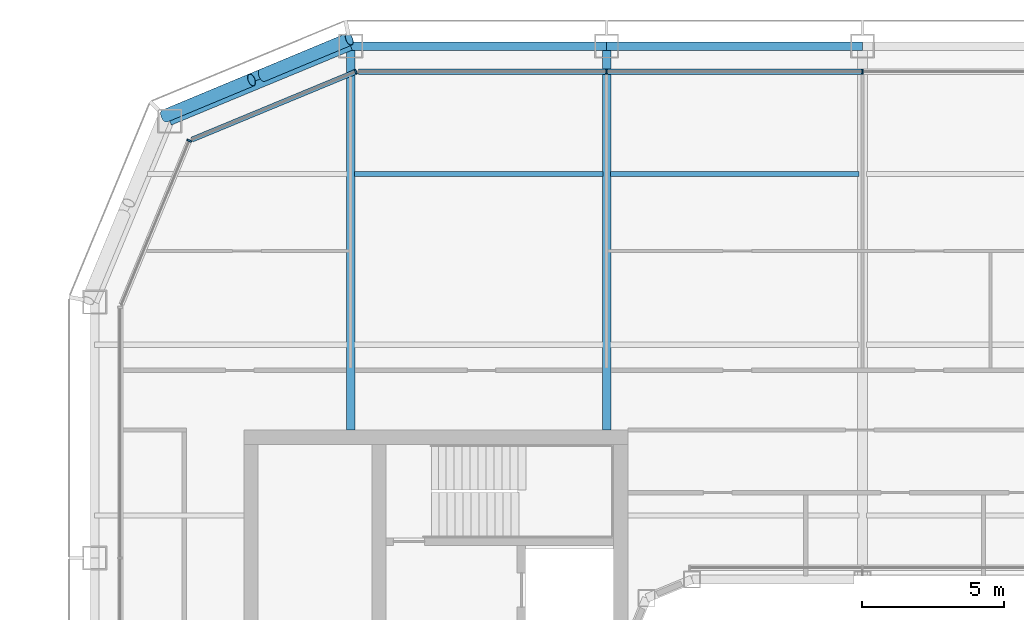
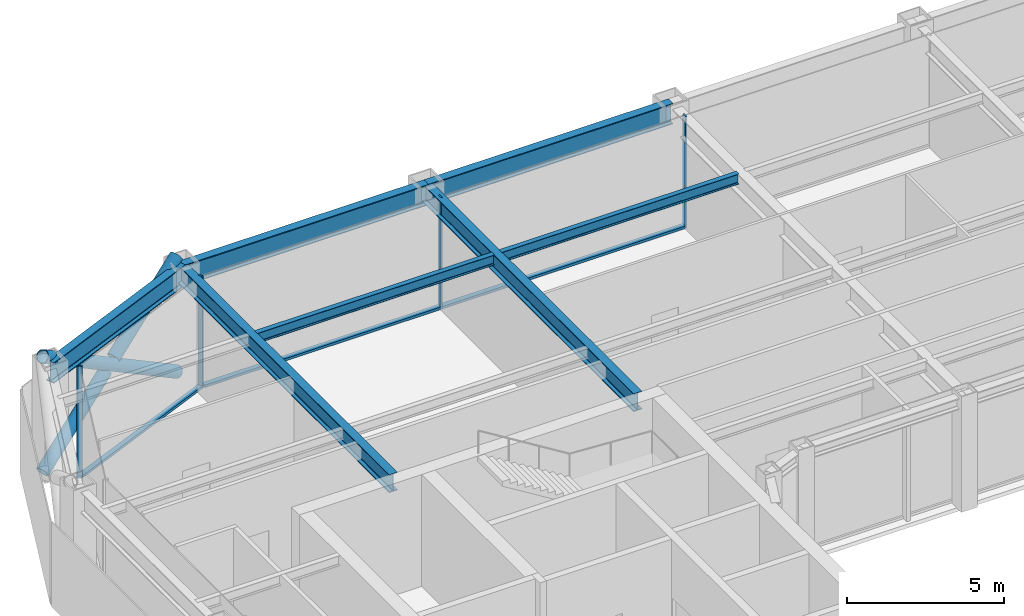
# One storey, part 8 of 23: 10 members, 7 beams, 3 elements without a shape of their own.
"""IFC4 building model written with IfcOpenShell, lengths in metres."""

from ifc_helpers import new_model, si_unit, direction, frame, origin, origin_2d, place, context, subcontext, project, spatial, rectangle, hollow_circle, i_section, extrude, material, layer, layer_set, material_profile, profile_set, type_object, element, aggregate, save


model = new_model("IFC4")

# Units and contexts
model_context = context("Model", 3, precision=1e-05, world=origin(), true_north=direction((0.0, 1.0)))
body_context = subcontext(model_context, "Body", "Model", "MODEL_VIEW")
ifc_project = project(units=[si_unit("LENGTHUNIT", "METRE"), si_unit("AREAUNIT", "SQUARE_METRE"), si_unit("VOLUMEUNIT", "CUBIC_METRE"), si_unit("PLANEANGLEUNIT", "RADIAN"), si_unit("MASSUNIT", "GRAM", prefix="KILO")], contexts=[model_context])

# Site, building, storey
site_placement = place(None, origin())
site = spatial("IfcSite", under=ifc_project, at=site_placement, CompositionType="ELEMENT")
building_placement = place(site_placement, origin())
building = spatial("IfcBuilding", under=site, at=building_placement, Name="Siwar Civic Tower", CompositionType="ELEMENT")
storey_placement = place(building_placement, frame((0.0, 0.0, 197.199951171875)))
storey = spatial("IfcBuildingStorey", under=building, at=storey_placement, Name="L42", CompositionType="ELEMENT", Elevation=197.199951171875)

# Curtain wall, members
ifc_material_1 = material(Name="Aluminium and glass", Category="aluminium")
ifc_layer_1 = layer(ifc_material_1, 0.179931640625)
ifc_layer_set_1 = layer_set([ifc_layer_1], Name="Aluminium and glass")
curtain_wall_type_1 = type_object("IfcCurtainWallType", Name="ENV-CW-C", PredefinedType="NOTDEFINED", material=ifc_layer_set_1)
curtain_wall_1_placement = place(storey_placement, origin())
curtain_wall_1 = element("IfcCurtainWall", 1, at=curtain_wall_1_placement, inside=storey, type_object=curtain_wall_type_1, Name="Curtain wall C N", PredefinedType="NOTDEFINED")
ifc_material_2 = material(Name="Aluminium 6063-T6", Category="aluminium")
ifc_material_profile_1 = material_profile(ifc_material_2, rectangle(XDim=0.179931640625, YDim=0.06005859375, at=origin_2d()), Name="AL 180x60")
ifc_profile_set_1 = profile_set([ifc_material_profile_1], Name="Aluminium 6063-T6")
member_type_1 = type_object("IfcMemberType", Name="ENV-MULLION-C", PredefinedType="MULLION", material=ifc_profile_set_1)
member_1_placement = place(storey_placement, frame((0.0, 26.10009765625, 0.0), z_axis=(0.0, 0.0, 1.0), x_axis=(0.0, -1.0, 0.0)))
member_1 = element("IfcMember", 2, at=member_1_placement, type_object=member_type_1, Name="Mullion C N 3", PredefinedType="MULLION", context=body_context, shape_type="SweptSolid", body=[
    extrude(rectangle(XDim=0.179931640625, YDim=0.06005859375, at=origin_2d()), origin(), (0.0, 0.0, 1.0), 4.35009765625),
])
member_2_placement = place(storey_placement, frame((-9.0, 26.10009765625, 0.0), z_axis=(0.0, 0.0, 1.0), x_axis=(0.0, -1.0, 0.0)))
member_2 = element("IfcMember", 3, at=member_2_placement, type_object=member_type_1, Name="Mullion C N 4", PredefinedType="MULLION", context=body_context, shape_type="SweptSolid", body=[
    extrude(rectangle(XDim=0.179931640625, YDim=0.06005859375, at=origin_2d()), origin(), (0.0, 0.0, 1.0), 4.35009765625),
])

# Curtain wall, member
ifc_material_3 = material(Name="Aluminium clad insulated panel", Category="aluminium")
ifc_layer_2 = layer(ifc_material_3, 0.179931640625)
ifc_layer_set_2 = layer_set([ifc_layer_2], Name="Aluminium clad insulated panel")
curtain_wall_type_2 = type_object("IfcCurtainWallType", Name="ENV-CW-CX", PredefinedType="NOTDEFINED", material=ifc_layer_set_2)
curtain_wall_2_placement = place(storey_placement, origin())
curtain_wall_2 = element("IfcCurtainWall", 4, at=curtain_wall_2_placement, inside=storey, type_object=curtain_wall_type_2, Name="Curtain wall C NW1", PredefinedType="NOTDEFINED")
member_3_placement = place(storey_placement, frame((-17.821044921875, 26.10009765625, 0.0), z_axis=(0.0, 0.0, 1.0), x_axis=(0.382683432365, -0.923879532511, 0.0)))
member_3 = element("IfcMember", 5, at=member_3_placement, type_object=member_type_1, Name="Mullion C NW1 1", PredefinedType="MULLION", context=body_context, shape_type="SweptSolid", body=[
    extrude(rectangle(XDim=0.179931640625, YDim=0.06005859375, at=origin_2d()), origin(), (0.0, 0.0, 1.0), 4.35009765625),
])

curtain_wall_3_placement = place(storey_placement, origin())
curtain_wall_3 = element("IfcCurtainWall", 6, at=curtain_wall_3_placement, inside=storey, type_object=curtain_wall_type_2, Name="Curtain wall C NW2", PredefinedType="NOTDEFINED")
member_4_placement = place(storey_placement, frame((-23.675048828125, 23.675048828125, 0.0), z_axis=(0.0, 0.0, 1.0), x_axis=(0.923879532511, -0.382683432365, 0.0)))
member_4 = element("IfcMember", 7, at=member_4_placement, type_object=member_type_1, Name="Mullion C NW2 1", PredefinedType="MULLION", context=body_context, shape_type="SweptSolid", body=[
    extrude(rectangle(XDim=0.179931640625, YDim=0.06005859375, at=origin_2d()), origin(), (0.0, 0.0, 1.0), 4.35009765625),
])
aggregate(curtain_wall_3, [member_4])

# Member
ifc_material_4 = material(Name="Aluminium 6063-T6", Category="aluminium")
ifc_material_profile_2 = material_profile(ifc_material_4, rectangle(XDim=0.179931640625, YDim=0.10009765625, at=origin_2d()), Name="AL 180x100")
ifc_profile_set_2 = profile_set([ifc_material_profile_2], Name="Aluminium 6063-T6")
member_type_2 = type_object("IfcMemberType", Name="ENV-TRANSOM-C", PredefinedType="USERDEFINED", material=ifc_profile_set_2)
member_5_placement = place(storey_placement, frame((-0.030029296875, 26.10009765625, 0.050048828125), z_axis=(-1.0, 0.0, 0.0), x_axis=(0.0, -1.0, 0.0)))
member_5 = element("IfcMember", 8, at=member_5_placement, type_object=member_type_2, Name="Transom C N 3", ObjectType="TRANSOM", PredefinedType="USERDEFINED", context=body_context, shape_type="SweptSolid", body=[
    extrude(rectangle(XDim=0.179931640625, YDim=0.10009765625, at=origin_2d()), origin(), (0.0, 0.0, 1.0), 8.93994140625),
])

member_6_placement = place(storey_placement, frame((-9.030029296875, 26.10009765625, 0.050048828125), z_axis=(-1.0, 0.0, 0.0), x_axis=(0.0, -1.0, 0.0)))
member_6 = element("IfcMember", 9, at=member_6_placement, type_object=member_type_2, Name="Transom C N 4", ObjectType="TRANSOM", PredefinedType="USERDEFINED", context=body_context, shape_type="SweptSolid", body=[
    extrude(rectangle(XDim=0.179931640625, YDim=0.10009765625, at=origin_2d()), origin(), (0.0, 0.0, 1.0), 8.68603515625),
])

aggregate(curtain_wall_1, [member_1, member_2, member_5, member_6])

member_7_placement = place(storey_placement, frame((-17.8486328125, 26.088623046875, 0.050048828125), z_axis=(-0.923882011223, -0.38267744817, 0.0), x_axis=(0.38267744817, -0.923882011223, 0.0)))
member_7 = element("IfcMember", 10, at=member_7_placement, type_object=member_type_2, Name="Transom C NW1 1", ObjectType="TRANSOM", PredefinedType="USERDEFINED", context=body_context, shape_type="SweptSolid", body=[
    extrude(rectangle(XDim=0.179931640625, YDim=0.10009765625, at=origin_2d()), origin(), (0.0, 0.0, 1.0), 6.201904296875),
])

aggregate(curtain_wall_2, [member_3, member_7])

# Members
ifc_material_5 = material(Name="Steel S355", Category="steel")
ifc_material_profile_3 = material_profile(ifc_material_5, hollow_circle(Radius=0.228515625, WallThickness=0.02001953125, at=origin_2d()), Name="CHS457x20")
ifc_profile_set_3 = profile_set([ifc_material_profile_3], Name="Steel S355")
member_type_3 = type_object("IfcMemberType", Name="STR-BR-CHS457x20", PredefinedType="BRACE", material=ifc_profile_set_3)
member_8_placement = place(storey_placement, frame((-18.048828125, 27.2451171875, 0.0), z_axis=(-0.777554562952, -0.323905527954, 0.538975055633), x_axis=(0.384538969033, -0.923108759191, 0.0)))
element("IfcMember", 11, at=member_8_placement, inside=storey, type_object=member_type_3, Name="L42/brc/CNW1-2-0-0", PredefinedType="BRACE", context=body_context, shape_type="SweptSolid", body=[
    extrude(hollow_circle(Radius=0.228515625, WallThickness=0.02001953125, at=origin_2d()), origin(), (0.0, 0.0, 1.0), 8.34912109375),
])
for number, where, z_axis, x_axis, name in (
    (12, (-24.540771484375, 24.540771484375, 0.0), (0.777546448489, 0.323884455881, 0.538999424564), (-0.38452107079, 0.92311621485, 0.0), "L42/brc/CNW1-2-0-4"),
    (13, (-21.10302734375, 25.972900390625, 2.383056640625), (0.777572496853, 0.323895306243, 0.538955325357), (-0.38452107079, 0.92311621485, 0.0), "L42/brc/CNW1-2-0-5"),
):
    element("IfcMember", number, at=place(storey_placement, frame(where, z_axis=z_axis, x_axis=x_axis)), inside=storey, type_object=member_type_3, Name=name, PredefinedType="BRACE", context=body_context, shape_type="SweptSolid", body=[
        extrude(hollow_circle(Radius=0.228515625, WallThickness=0.02001953125, at=origin_2d()), origin(), (0.0, 0.0, 1.0), 3.927978515625),
    ])

# Beams
ifc_material_6 = material(Name="Steel S355", Category="steel")
ifc_material_profile_4 = material_profile(ifc_material_6, i_section(OverallWidth=0.179931640625, OverallDepth=0.39990234375, WebThickness=0.008544921875, FlangeThickness=0.013427734375, FilletRadius=0.02099609375, at=origin_2d()), Name="IPE400")
ifc_profile_set_4 = profile_set([ifc_material_profile_4], Name="Steel S355")
beam_type_1 = type_object("IfcBeamType", Name="STR-FB-IPE400", PredefinedType="JOIST", material=ifc_profile_set_4)
for number, where, z_axis, x_axis, name in (
    (14, (-17.8701171875, 22.5, 4.150146484375), (1.0, 0.0, 0.0), (0.0, 1.0, 0.0), "L42/bm/F038"),
    (15, (-8.8701171875, 22.5, 4.150146484375), (1.0, 0.0, 0.0), (0.0, 1.0, 0.0), "L42/bm/F039"),
):
    element("IfcBeam", number, at=place(storey_placement, frame(where, z_axis=z_axis, x_axis=x_axis)), inside=storey, type_object=beam_type_1, Name=name, PredefinedType="JOIST", context=body_context, shape_type="SweptSolid", body=[
        extrude(i_section(OverallWidth=0.179931640625, OverallDepth=0.39990234375, WebThickness=0.008544921875, FlangeThickness=0.013427734375, FilletRadius=0.02099609375, at=origin_2d()), origin(), (0.0, 0.0, 1.0), 8.740234375),
    ])
ifc_material_7 = material(Name="Steel S355", Category="steel")
ifc_material_profile_5 = material_profile(ifc_material_7, i_section(OverallWidth=0.300048828125, OverallDepth=0.699951171875, WebThickness=0.01708984375, FlangeThickness=0.031982421875, FilletRadius=0.027099609375, at=origin_2d()), Name="HEB700")
ifc_profile_set_5 = profile_set([ifc_material_profile_5], Name="Steel S355")
beam_type_2 = type_object("IfcBeamType", Name="STR-PG-HEB700", PredefinedType="BEAM", material=ifc_profile_set_5)
for number, where, z_axis, x_axis, name in (
    (16, (-18.0, 13.5, 4.0), (0.0, 1.0, 0.0), (-1.0, 0.0, 0.0), "L42/bm/G02"),
    (17, (-9.0, 13.5, 4.0), (0.0, 1.0, 0.0), (-1.0, 0.0, 0.0), "L42/bm/G04"),
):
    element("IfcBeam", number, at=place(storey_placement, frame(where, z_axis=z_axis, x_axis=x_axis)), inside=storey, type_object=beam_type_2, Name=name, PredefinedType="BEAM", context=body_context, shape_type="SweptSolid", body=[
        extrude(i_section(OverallWidth=0.300048828125, OverallDepth=0.699951171875, WebThickness=0.01708984375, FlangeThickness=0.031982421875, FilletRadius=0.027099609375, at=origin_2d()), origin(), (0.0, 0.0, 1.0), 13.5),
    ])
ifc_material_8 = material(Name="Steel S355", Category="steel")
ifc_material_profile_6 = material_profile(ifc_material_8, i_section(OverallWidth=0.300048828125, OverallDepth=0.800048828125, WebThickness=0.017578125, FlangeThickness=0.032958984375, FilletRadius=0.030029296875, at=origin_2d()), Name="HEB800")
ifc_profile_set_6 = profile_set([ifc_material_profile_6], Name="Steel S355")
beam_type_3 = type_object("IfcBeamType", Name="STR-SB-HEB800", PredefinedType="BEAM", material=ifc_profile_set_6)
for number, where, z_axis, x_axis, name in (
    (18, (0.0, 27.0, 3.949951171875), (-1.0, 0.0, 0.0), (0.0, -1.0, 0.0), "L42/bm/SN-2"),
    (19, (-9.0, 27.0, 3.949951171875), (-1.0, 0.0, 0.0), (0.0, -1.0, 0.0), "L42/bm/SN-3"),
):
    element("IfcBeam", number, at=place(storey_placement, frame(where, z_axis=z_axis, x_axis=x_axis)), inside=storey, type_object=beam_type_3, Name=name, PredefinedType="BEAM", context=body_context, shape_type="SweptSolid", body=[
        extrude(i_section(OverallWidth=0.300048828125, OverallDepth=0.800048828125, WebThickness=0.017578125, FlangeThickness=0.032958984375, FilletRadius=0.030029296875, at=origin_2d()), origin(), (0.0, 0.0, 1.0), 9.0),
    ])
beam_placement = place(storey_placement, frame((-18.0, 27.0, 3.949951171875), z_axis=(-0.923883353507, -0.382674207535, 0.0), x_axis=(0.382674207535, -0.923883353507, 0.0)))
element("IfcBeam", 20, at=beam_placement, inside=storey, type_object=beam_type_3, Name="L42/bm/SNW1-0", PredefinedType="BEAM", context=body_context, shape_type="SweptSolid", body=[
    extrude(i_section(OverallWidth=0.300048828125, OverallDepth=0.800048828125, WebThickness=0.017578125, FlangeThickness=0.032958984375, FilletRadius=0.030029296875, at=origin_2d()), origin(), (0.0, 0.0, 1.0), 6.888427734375),
])

save(model, "model.ifc")
